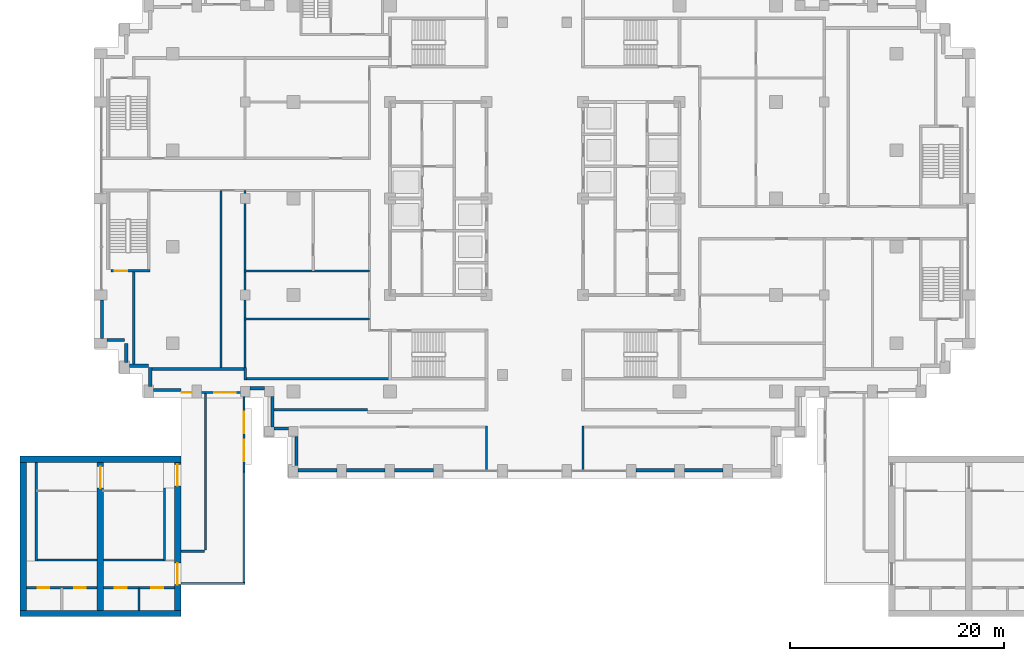
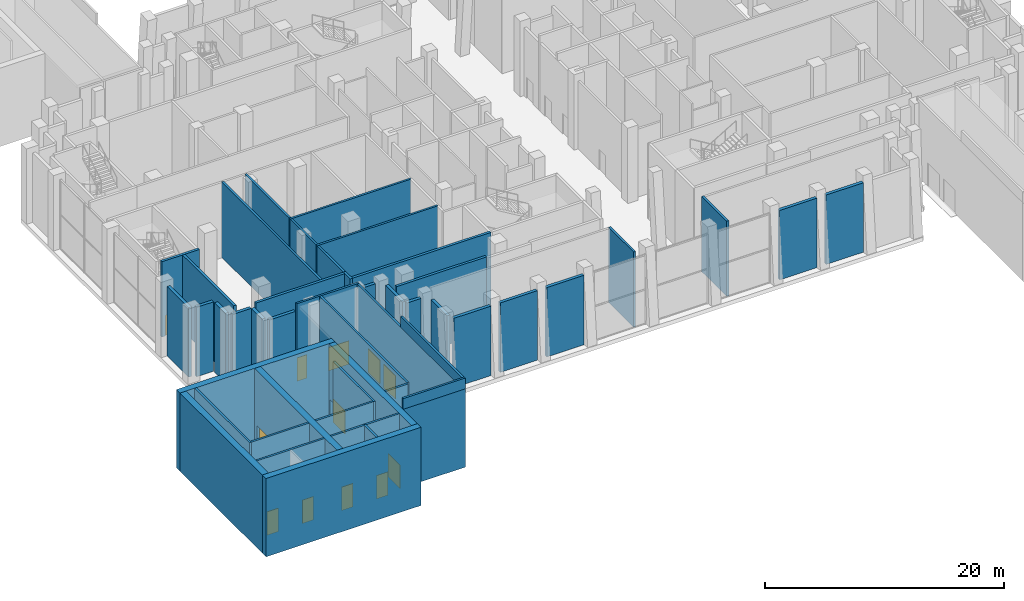
# One storey, part 10 of 24: 46 walls, 12 doors, 12 openings.
"""IFC4 building model written with IfcOpenShell, lengths in metres."""

from ifc_helpers import new_model, si_unit, direction, frame, frame_2d, origin, place, context, subcontext, project, spatial, rectangle, extrude, material, layer, layer_set, type_object, element, fill, save


model = new_model("IFC4")

# Units and contexts
model_context = context("Model", 3, precision=1e-05, world=origin(), true_north=direction((0.0, 1.0)))
body_context = subcontext(model_context, "Body", "Model", "MODEL_VIEW")
ifc_project = project(units=[si_unit("LENGTHUNIT", "METRE"), si_unit("AREAUNIT", "SQUARE_METRE"), si_unit("VOLUMEUNIT", "CUBIC_METRE"), si_unit("PLANEANGLEUNIT", "RADIAN"), si_unit("MASSUNIT", "GRAM", prefix="KILO")], contexts=[model_context])

# Site, building, storey
site_placement = place(None, origin())
site = spatial("IfcSite", under=ifc_project, at=site_placement, CompositionType="ELEMENT")
building_placement = place(site_placement, origin())
building = spatial("IfcBuilding", under=site, at=building_placement, Name="Corbelhall Arena Tower", CompositionType="ELEMENT")
storey_placement = place(building_placement, frame((0.0, 0.0, 60.0)))
storey = spatial("IfcBuildingStorey", under=building, at=storey_placement, Name="L08", CompositionType="ELEMENT", Elevation=60.0)

# Walls
ifc_material_1 = material(Name="Concrete C80/95", Category="concrete")
ifc_layer_1 = layer(ifc_material_1, 0.60009765625)
ifc_layer_set_1 = layer_set([ifc_layer_1], Name="AR-CORE-WALL-L08")
wall_type_1 = type_object("IfcWallType", Name="AR-CORE-WALL-L08", PredefinedType="SHEAR", material=ifc_layer_set_1)
for number, where, z_axis, x_axis, name in (
    (1, (-48.0, -38.699951171875, 0.0), (0.0, 0.0, 1.0), (1.0, 0.0, 0.0), "Core SW wall"),
    (2, (-48.0, -24.300048828125, 0.0), (0.0, 0.0, 1.0), (1.0, 0.0, 0.0), "Core SW wall"),
):
    element("IfcWall", number, at=place(storey_placement, frame(where, z_axis=z_axis, x_axis=x_axis)), inside=storey, type_object=wall_type_1, Name=name, PredefinedType="SHEAR", context=body_context, shape_type="SweptSolid", body=[
        extrude(rectangle(XDim=15.0, YDim=0.60009765625, at=frame_2d((7.5, 0.0))), origin(), (0.0, 0.0, 1.0), 8.0),
    ])
wall_1_placement = place(storey_placement, frame((-47.699951171875, -38.39990234375, 0.0), z_axis=(0.0, 0.0, 1.0), x_axis=(0.0, 1.0, 0.0)))
element("IfcWall", 3, at=wall_1_placement, inside=storey, type_object=wall_type_1, Name="Core SW wall", PredefinedType="SHEAR", context=body_context, shape_type="SweptSolid", body=[
    extrude(rectangle(XDim=13.7998046875, YDim=0.60009765625, at=frame_2d((6.89990234375, 0.0))), origin(), (0.0, 0.0, 1.0), 8.0),
])

# Wall, openings, doors
wall_2_placement = place(storey_placement, frame((-33.300048828125, -38.39990234375, 0.0), z_axis=(0.0, 0.0, 1.0), x_axis=(0.0, 1.0, 0.0)))
wall_2 = element("IfcWall", 4, at=wall_2_placement, inside=storey, type_object=wall_type_1, Name="Core SW wall", PredefinedType="SHEAR", context=body_context, shape_type="SweptSolid", body=[
    extrude(rectangle(XDim=13.7998046875, YDim=0.60009765625, at=frame_2d((6.89990234375, 0.0))), origin(), (0.0, 0.0, 1.0), 8.0),
])
opening_1_placement = place(wall_2_placement, frame((2.39990234375, 0.0, 0.0)))
opening_1 = element("IfcOpeningElement", 5, at=opening_1_placement, cuts=wall_2, Name="Opening DA0315", PredefinedType="OPENING", context=body_context, shape_type="SweptSolid", body=[
    extrude(rectangle(XDim=2.0, YDim=2.39990234375, at=frame_2d((1.0, 1.199951171875))), frame((0.0, 0.300048828125, 0.0), z_axis=(0.0, -1.0, 0.0), x_axis=(1.0, 0.0, 0.0)), (0.0, 0.0, 1.0), 0.60009765625),
])
opening_2_placement = place(wall_2_placement, frame((11.60009765625, 0.0, 0.0)))
opening_2 = element("IfcOpeningElement", 6, at=opening_2_placement, cuts=wall_2, Name="Opening DA0316", PredefinedType="OPENING", context=body_context, shape_type="SweptSolid", body=[
    extrude(rectangle(XDim=2.0, YDim=2.39990234375, at=frame_2d((1.0, 1.199951171875))), frame((0.0, 0.300048828125, 0.0), z_axis=(0.0, -1.0, 0.0), x_axis=(1.0, 0.0, 0.0)), (0.0, 0.0, 1.0), 0.60009765625),
])
ifc_material_2 = material(Name="Steel and glass", Category="steel")
door_type_1 = type_object("IfcDoorType", Name="AR-EXIT-DOOR", OperationType="DOUBLE_DOOR_SINGLE_SWING", PredefinedType="DOOR", material=ifc_material_2)
door_1_placement = place(opening_1_placement, frame((2.0, 0.0, 0.0), z_axis=(0.0, 0.0, 1.0), x_axis=(-1.0, 0.0, 0.0)))
door_1 = element("IfcDoor", 7, at=door_1_placement, inside=storey, type_object=door_type_1, Name="Core SW lobby door", OperationType="DOUBLE_DOOR_SINGLE_SWING", OverallHeight=2.39990234375, OverallWidth=2.0, PredefinedType="DOOR", context=body_context, shape_type="SweptSolid", body=[
    extrude(rectangle(XDim=2.0, YDim=2.39990234375, at=frame_2d((1.0, 1.199951171875))), frame((0.0, 0.02490234375, 0.0), z_axis=(0.0, -1.0, 0.0), x_axis=(1.0, 0.0, 0.0)), (0.0, 0.0, 1.0), 0.050048828125),
])
fill(opening_1, door_1)
door_2_placement = place(opening_2_placement, frame((2.0, 0.0, 0.0), z_axis=(0.0, 0.0, 1.0), x_axis=(-1.0, 0.0, 0.0)))
door_2 = element("IfcDoor", 8, at=door_2_placement, inside=storey, type_object=door_type_1, Name="Core SW stair door", OperationType="DOUBLE_DOOR_SINGLE_SWING", OverallHeight=2.39990234375, OverallWidth=2.0, PredefinedType="DOOR", context=body_context, shape_type="SweptSolid", body=[
    extrude(rectangle(XDim=2.0, YDim=2.39990234375, at=frame_2d((1.0, 1.199951171875))), frame((0.0, 0.02490234375, 0.0), z_axis=(0.0, -1.0, 0.0), x_axis=(1.0, 0.0, 0.0)), (0.0, 0.0, 1.0), 0.050048828125),
])
fill(opening_2, door_2)

# Wall, opening, door
wall_3_placement = place(storey_placement, frame((-40.5, -38.39990234375, 0.0), z_axis=(0.0, 0.0, 1.0), x_axis=(0.0, 1.0, 0.0)))
wall_3 = element("IfcWall", 9, at=wall_3_placement, inside=storey, type_object=wall_type_1, Name="Core SW wall", PredefinedType="SHEAR", context=body_context, shape_type="SweptSolid", body=[
    extrude(rectangle(XDim=13.7998046875, YDim=0.60009765625, at=frame_2d((6.89990234375, 0.0))), origin(), (0.0, 0.0, 1.0), 8.0),
])
opening_3_placement = place(wall_3_placement, frame((11.39990234375, 0.0, 0.0)))
opening_3 = element("IfcOpeningElement", 10, at=opening_3_placement, cuts=wall_3, Name="Opening DA0052", PredefinedType="OPENING", context=body_context, shape_type="SweptSolid", body=[
    extrude(rectangle(XDim=2.0, YDim=2.39990234375, at=frame_2d((1.0, 1.199951171875))), frame((0.0, 0.300048828125, 0.0), z_axis=(0.0, -1.0, 0.0), x_axis=(1.0, 0.0, 0.0)), (0.0, 0.0, 1.0), 0.60009765625),
])
door_3_placement = place(opening_3_placement, origin())
door_3 = element("IfcDoor", 11, at=door_3_placement, inside=storey, type_object=door_type_1, Name="Stair hall door SW", OperationType="DOUBLE_DOOR_SINGLE_SWING", OverallHeight=2.39990234375, OverallWidth=2.0, PredefinedType="DOOR", context=body_context, shape_type="SweptSolid", body=[
    extrude(rectangle(XDim=2.0, YDim=2.39990234375, at=frame_2d((1.0, 1.199951171875))), frame((0.0, 0.02490234375, 0.0), z_axis=(0.0, -1.0, 0.0), x_axis=(1.0, 0.0, 0.0)), (0.0, 0.0, 1.0), 0.050048828125),
])
fill(opening_3, door_3)

# Wall, openings, doors
ifc_material_3 = material(Name="Reinforced concrete C40/50", Category="concrete")
ifc_layer_2 = layer(ifc_material_3, 0.199951171875)
ifc_layer_set_2 = layer_set([ifc_layer_2], Name="AR-LINK-WALL")
wall_type_2 = type_object("IfcWallType", Name="AR-LINK-WALL", PredefinedType="SOLIDWALL", material=ifc_layer_set_2)
wall_4_placement = place(storey_placement, frame((-27.10009765625, -35.89990234375, 0.0), z_axis=(0.0, 0.0, 1.0), x_axis=(0.0, 1.0, 0.0)))
wall_4 = element("IfcWall", 12, at=wall_4_placement, inside=storey, type_object=wall_type_2, Name="Gallery LK4 wall", PredefinedType="SOLIDWALL", context=body_context, shape_type="SweptSolid", body=[
    extrude(rectangle(XDim=17.7998046875, YDim=0.199951171875, at=frame_2d((8.89990234375, 0.0))), origin(), (0.0, 0.0, 1.0), 8.0),
])
opening_4_placement = place(wall_4_placement, frame((14.0, 0.0, 0.0)))
opening_4 = element("IfcOpeningElement", 13, at=opening_4_placement, cuts=wall_4, Name="Opening DA0313", PredefinedType="OPENING", context=body_context, shape_type="SweptSolid", body=[
    extrude(rectangle(XDim=2.0, YDim=2.39990234375, at=frame_2d((1.0, 1.199951171875))), frame((0.0, 0.10009765625, 0.0), z_axis=(0.0, -1.0, 0.0), x_axis=(1.0, 0.0, 0.0)), (0.0, 0.0, 1.0), 0.199951171875),
])
opening_5_placement = place(wall_4_placement, frame((11.39990234375, 0.0, 0.0)))
opening_5 = element("IfcOpeningElement", 14, at=opening_5_placement, cuts=wall_4, Name="Opening DA0314", PredefinedType="OPENING", context=body_context, shape_type="SweptSolid", body=[
    extrude(rectangle(XDim=2.0, YDim=2.39990234375, at=frame_2d((1.0, 1.199951171875))), frame((0.0, 0.10009765625, 0.0), z_axis=(0.0, -1.0, 0.0), x_axis=(1.0, 0.0, 0.0)), (0.0, 0.0, 1.0), 0.199951171875),
])
door_4_placement = place(opening_4_placement, frame((2.0, 0.0, 0.0), z_axis=(0.0, 0.0, 1.0), x_axis=(-1.0, 0.0, 0.0)))
door_4 = element("IfcDoor", 15, at=door_4_placement, inside=storey, type_object=door_type_1, Name="Gallery LK4 plate door 1", OperationType="DOUBLE_DOOR_SINGLE_SWING", OverallHeight=2.39990234375, OverallWidth=2.0, PredefinedType="DOOR", context=body_context, shape_type="SweptSolid", body=[
    extrude(rectangle(XDim=2.0, YDim=2.39990234375, at=frame_2d((1.0, 1.199951171875))), frame((0.0, 0.02490234375, 0.0), z_axis=(0.0, -1.0, 0.0), x_axis=(1.0, 0.0, 0.0)), (0.0, 0.0, 1.0), 0.050048828125),
])
fill(opening_4, door_4)
door_5_placement = place(opening_5_placement, frame((2.0, 0.0, 0.0), z_axis=(0.0, 0.0, 1.0), x_axis=(-1.0, 0.0, 0.0)))
door_5 = element("IfcDoor", 16, at=door_5_placement, inside=storey, type_object=door_type_1, Name="Gallery LK4 plate door 2", OperationType="DOUBLE_DOOR_SINGLE_SWING", OverallHeight=2.39990234375, OverallWidth=2.0, PredefinedType="DOOR", context=body_context, shape_type="SweptSolid", body=[
    extrude(rectangle(XDim=2.0, YDim=2.39990234375, at=frame_2d((1.0, 1.199951171875))), frame((0.0, 0.02490234375, 0.0), z_axis=(0.0, -1.0, 0.0), x_axis=(1.0, 0.0, 0.0)), (0.0, 0.0, 1.0), 0.050048828125),
])
fill(opening_5, door_5)

# Walls
wall_5_placement = place(storey_placement, frame((-30.699951171875, -32.800048828125, 0.0), z_axis=(0.0, 0.0, 1.0), x_axis=(0.0, 1.0, 0.0)))
element("IfcWall", 17, at=wall_5_placement, inside=storey, type_object=wall_type_2, Name="Gallery LK4 wall", PredefinedType="SOLIDWALL", context=body_context, shape_type="SweptSolid", body=[
    extrude(rectangle(XDim=14.800048828125, YDim=0.199951171875, at=frame_2d((7.39990234375, 0.0))), origin(), (0.0, 0.0, 1.0), 8.0),
])
wall_6_placement = place(storey_placement, frame((-33.0, -32.89990234375, 0.0), z_axis=(0.0, 0.0, 1.0), x_axis=(1.0, 0.0, 0.0)))
element("IfcWall", 18, at=wall_6_placement, inside=storey, type_object=wall_type_2, Name="Gallery LK4 wall", PredefinedType="SOLIDWALL", context=body_context, shape_type="SweptSolid", body=[
    extrude(rectangle(XDim=2.199951171875, YDim=0.199951171875, at=frame_2d((1.10009765625, 0.0))), origin(), (0.0, 0.0, 1.0), 8.0),
])
wall_7_placement = place(storey_placement, frame((-33.0, -35.89990234375, 0.0), z_axis=(0.0, 0.0, 1.0), x_axis=(1.0, 0.0, 0.0)))
element("IfcWall", 19, at=wall_7_placement, inside=storey, type_object=wall_type_2, Name="Gallery LK4 wall", PredefinedType="SOLIDWALL", context=body_context, shape_type="SweptSolid", body=[
    extrude(rectangle(XDim=6.0, YDim=0.199951171875, at=frame_2d((3.0, 0.0))), origin(), (0.0, 0.0, 1.0), 8.0),
])

# Wall, openings, doors
wall_8_placement = place(storey_placement, frame((-33.0, -18.10009765625, 0.0), z_axis=(0.0, 0.0, 1.0), x_axis=(1.0, 0.0, 0.0)))
wall_8 = element("IfcWall", 20, at=wall_8_placement, inside=storey, type_object=wall_type_2, Name="Gallery LK4 end wall", PredefinedType="SOLIDWALL", context=body_context, shape_type="SweptSolid", body=[
    extrude(rectangle(XDim=6.0, YDim=0.199951171875, at=frame_2d((3.0, 0.0))), origin(), (0.0, 0.0, 1.0), 8.0),
])
opening_6_placement = place(wall_8_placement, frame((3.10009765625, 0.0, 0.0)))
opening_6 = element("IfcOpeningElement", 21, at=opening_6_placement, cuts=wall_8, Name="Opening DA0311", PredefinedType="OPENING", context=body_context, shape_type="SweptSolid", body=[
    extrude(rectangle(XDim=2.0, YDim=2.39990234375, at=frame_2d((1.0, 1.199951171875))), frame((0.0, 0.10009765625, 0.0), z_axis=(0.0, -1.0, 0.0), x_axis=(1.0, 0.0, 0.0)), (0.0, 0.0, 1.0), 0.199951171875),
])
opening_7_placement = place(wall_8_placement, frame((0.070068359375, 0.0, 0.0)))
opening_7 = element("IfcOpeningElement", 22, at=opening_7_placement, cuts=wall_8, Name="Opening DA0312", PredefinedType="OPENING", context=body_context, shape_type="SweptSolid", body=[
    extrude(rectangle(XDim=0.949951171875, YDim=2.39990234375, at=frame_2d((0.47509765625, 1.199951171875))), frame((0.0, 0.10009765625, 0.0), z_axis=(0.0, -1.0, 0.0), x_axis=(1.0, 0.0, 0.0)), (0.0, 0.0, 1.0), 0.199951171875),
])
door_6_placement = place(opening_6_placement, origin())
door_6 = element("IfcDoor", 23, at=door_6_placement, inside=storey, type_object=door_type_1, Name="Gallery LK4 public door", OperationType="DOUBLE_DOOR_SINGLE_SWING", OverallHeight=2.39990234375, OverallWidth=2.0, PredefinedType="DOOR", context=body_context, shape_type="SweptSolid", body=[
    extrude(rectangle(XDim=2.0, YDim=2.39990234375, at=frame_2d((1.0, 1.199951171875))), frame((0.0, 0.02490234375, 0.0), z_axis=(0.0, -1.0, 0.0), x_axis=(1.0, 0.0, 0.0)), (0.0, 0.0, 1.0), 0.050048828125),
])
fill(opening_6, door_6)
ifc_material_4 = material(Name="Steel door set", Category="steel")
door_type_2 = type_object("IfcDoorType", Name="AR-EXIT-DOOR-1", OperationType="SINGLE_SWING_LEFT", PredefinedType="DOOR", material=ifc_material_4)
door_7_placement = place(opening_7_placement, origin())
door_7 = element("IfcDoor", 24, at=door_7_placement, inside=storey, type_object=door_type_2, Name="Gallery LK4 exit door", OperationType="SINGLE_SWING_LEFT", OverallHeight=2.39990234375, OverallWidth=0.949951171875, PredefinedType="DOOR", context=body_context, shape_type="SweptSolid", body=[
    extrude(rectangle(XDim=0.949951171875, YDim=2.39990234375, at=frame_2d((0.47509765625, 1.199951171875))), frame((0.0, 0.02490234375, 0.0), z_axis=(0.0, -1.0, 0.0), x_axis=(1.0, 0.0, 0.0)), (0.0, 0.0, 1.0), 0.050048828125),
])
fill(opening_7, door_7)

# Walls
ifc_layer_3 = layer(ifc_material_3, 0.199951171875)
ifc_layer_set_3 = layer_set([ifc_layer_3], Name="AR-PARAPET")
wall_type_3 = type_object("IfcWallType", Name="AR-PARAPET", PredefinedType="PARAPET", material=ifc_layer_set_3)
wall_9_placement = place(storey_placement, frame((-33.0, -35.89990234375, 8.0), z_axis=(0.0, 0.0, 1.0), x_axis=(1.0, 0.0, 0.0)))
element("IfcWall", 25, at=wall_9_placement, inside=storey, type_object=wall_type_3, Name="Gallery LK4 parapet", PredefinedType="PARAPET", context=body_context, shape_type="SweptSolid", body=[
    extrude(rectangle(XDim=6.0, YDim=0.199951171875, at=frame_2d((3.0, 0.0))), origin(), (0.0, 0.0, 1.0), 1.10009765625),
])
wall_10_placement = place(storey_placement, frame((-27.10009765625, -35.800048828125, 8.0), z_axis=(0.0, 0.0, 1.0), x_axis=(0.0, 1.0, 0.0)))
element("IfcWall", 26, at=wall_10_placement, inside=storey, type_object=wall_type_3, Name="Gallery LK4 parapet", PredefinedType="PARAPET", context=body_context, shape_type="SweptSolid", body=[
    extrude(rectangle(XDim=10.300048828125, YDim=0.199951171875, at=frame_2d((5.14990234375, 0.0))), origin(), (0.0, 0.0, 1.0), 1.10009765625),
])

# Wall, openings, doors
ifc_layer_4 = layer(ifc_material_3, 0.199951171875)
ifc_layer_set_4 = layer_set([ifc_layer_4], Name="AR-SHAFT-WALL")
wall_type_4 = type_object("IfcWallType", Name="AR-SHAFT-WALL", PredefinedType="SHEAR", material=ifc_layer_set_4)
wall_11_placement = place(storey_placement, frame((-47.39990234375, -36.300048828125, 0.0), z_axis=(0.0, 0.0, 1.0), x_axis=(1.0, 0.0, 0.0)))
wall_11 = element("IfcWall", 27, at=wall_11_placement, inside=storey, type_object=wall_type_4, Name="Lift lobby wall SW", PredefinedType="SHEAR", context=body_context, shape_type="SweptSolid", body=[
    extrude(rectangle(XDim=6.599853515625, YDim=0.199951171875, at=frame_2d((3.2998046875, 0.0))), origin(), (0.0, 0.0, 1.0), 8.0),
])
opening_8_placement = place(wall_11_placement, frame((1.050048828125, 0.0, 0.0)))
opening_8 = element("IfcOpeningElement", 28, at=opening_8_placement, cuts=wall_11, Name="Opening LD0289", PredefinedType="OPENING", context=body_context, shape_type="SweptSolid", body=[
    extrude(rectangle(XDim=1.10009765625, YDim=2.39990234375, at=frame_2d((0.550048828125, 1.199951171875))), frame((0.0, 0.10009765625, 0.0), z_axis=(0.0, -1.0, 0.0), x_axis=(1.0, 0.0, 0.0)), (0.0, 0.0, 1.0), 0.199951171875),
])
opening_9_placement = place(wall_11_placement, frame((4.449951171875, 0.0, 0.0)))
opening_9 = element("IfcOpeningElement", 29, at=opening_9_placement, cuts=wall_11, Name="Opening LD0290", PredefinedType="OPENING", context=body_context, shape_type="SweptSolid", body=[
    extrude(rectangle(XDim=1.10009765625, YDim=2.39990234375, at=frame_2d((0.550048828125, 1.199951171875))), frame((0.0, 0.10009765625, 0.0), z_axis=(0.0, -1.0, 0.0), x_axis=(1.0, 0.0, 0.0)), (0.0, 0.0, 1.0), 0.199951171875),
])
ifc_material_5 = material(Name="Stainless steel A4", Category="steel")
door_type_3 = type_object("IfcDoorType", Name="AR-LANDING-DOOR", OperationType="DOUBLE_DOOR_SLIDING", PredefinedType="DOOR", material=ifc_material_5)
door_8_placement = place(opening_8_placement, frame((1.10009765625, 0.0, 0.0), z_axis=(0.0, 0.0, 1.0), x_axis=(-1.0, 0.0, 0.0)))
door_8 = element("IfcDoor", 30, at=door_8_placement, inside=storey, type_object=door_type_3, Name="Landing door SW LF3 L08", OperationType="DOUBLE_DOOR_SLIDING", OverallHeight=2.39990234375, OverallWidth=1.10009765625, PredefinedType="DOOR", context=body_context, shape_type="SweptSolid", body=[
    extrude(rectangle(XDim=1.10009765625, YDim=2.39990234375, at=frame_2d((0.550048828125, 1.199951171875))), frame((0.0, 0.02490234375, 0.0), z_axis=(0.0, -1.0, 0.0), x_axis=(1.0, 0.0, 0.0)), (0.0, 0.0, 1.0), 0.050048828125),
])
fill(opening_8, door_8)
door_9_placement = place(opening_9_placement, frame((1.10009765625, 0.0, 0.0), z_axis=(0.0, 0.0, 1.0), x_axis=(-1.0, 0.0, 0.0)))
door_9 = element("IfcDoor", 31, at=door_9_placement, inside=storey, type_object=door_type_3, Name="Landing door SW LF4 L08", OperationType="DOUBLE_DOOR_SLIDING", OverallHeight=2.39990234375, OverallWidth=1.10009765625, PredefinedType="DOOR", context=body_context, shape_type="SweptSolid", body=[
    extrude(rectangle(XDim=1.10009765625, YDim=2.39990234375, at=frame_2d((0.550048828125, 1.199951171875))), frame((0.0, 0.02490234375, 0.0), z_axis=(0.0, -1.0, 0.0), x_axis=(1.0, 0.0, 0.0)), (0.0, 0.0, 1.0), 0.050048828125),
])
fill(opening_9, door_9)

wall_12_placement = place(storey_placement, frame((-40.199951171875, -36.300048828125, 0.0), z_axis=(0.0, 0.0, 1.0), x_axis=(1.0, 0.0, 0.0)))
wall_12 = element("IfcWall", 32, at=wall_12_placement, inside=storey, type_object=wall_type_4, Name="Lift lobby wall SW", PredefinedType="SHEAR", context=body_context, shape_type="SweptSolid", body=[
    extrude(rectangle(XDim=6.599853515625, YDim=0.199951171875, at=frame_2d((3.2998046875, 0.0))), origin(), (0.0, 0.0, 1.0), 8.0),
])
opening_10_placement = place(wall_12_placement, frame((1.050048828125, 0.0, 0.0)))
opening_10 = element("IfcOpeningElement", 33, at=opening_10_placement, cuts=wall_12, Name="Opening LD0291", PredefinedType="OPENING", context=body_context, shape_type="SweptSolid", body=[
    extrude(rectangle(XDim=1.10009765625, YDim=2.39990234375, at=frame_2d((0.550048828125, 1.199951171875))), frame((0.0, 0.10009765625, 0.0), z_axis=(0.0, -1.0, 0.0), x_axis=(1.0, 0.0, 0.0)), (0.0, 0.0, 1.0), 0.199951171875),
])
opening_11_placement = place(wall_12_placement, frame((4.449951171875, 0.0, 0.0)))
opening_11 = element("IfcOpeningElement", 34, at=opening_11_placement, cuts=wall_12, Name="Opening LD0292", PredefinedType="OPENING", context=body_context, shape_type="SweptSolid", body=[
    extrude(rectangle(XDim=1.10009765625, YDim=2.39990234375, at=frame_2d((0.550048828125, 1.199951171875))), frame((0.0, 0.10009765625, 0.0), z_axis=(0.0, -1.0, 0.0), x_axis=(1.0, 0.0, 0.0)), (0.0, 0.0, 1.0), 0.199951171875),
])
door_10_placement = place(opening_10_placement, frame((1.10009765625, 0.0, 0.0), z_axis=(0.0, 0.0, 1.0), x_axis=(-1.0, 0.0, 0.0)))
door_10 = element("IfcDoor", 35, at=door_10_placement, inside=storey, type_object=door_type_3, Name="Landing door SW LF1 L08", OperationType="DOUBLE_DOOR_SLIDING", OverallHeight=2.39990234375, OverallWidth=1.10009765625, PredefinedType="DOOR", context=body_context, shape_type="SweptSolid", body=[
    extrude(rectangle(XDim=1.10009765625, YDim=2.39990234375, at=frame_2d((0.550048828125, 1.199951171875))), frame((0.0, 0.02490234375, 0.0), z_axis=(0.0, -1.0, 0.0), x_axis=(1.0, 0.0, 0.0)), (0.0, 0.0, 1.0), 0.050048828125),
])
fill(opening_10, door_10)
door_11_placement = place(opening_11_placement, frame((1.10009765625, 0.0, 0.0), z_axis=(0.0, 0.0, 1.0), x_axis=(-1.0, 0.0, 0.0)))
door_11 = element("IfcDoor", 36, at=door_11_placement, inside=storey, type_object=door_type_3, Name="Landing door SW LF2 L08", OperationType="DOUBLE_DOOR_SLIDING", OverallHeight=2.39990234375, OverallWidth=1.10009765625, PredefinedType="DOOR", context=body_context, shape_type="SweptSolid", body=[
    extrude(rectangle(XDim=1.10009765625, YDim=2.39990234375, at=frame_2d((0.550048828125, 1.199951171875))), frame((0.0, 0.02490234375, 0.0), z_axis=(0.0, -1.0, 0.0), x_axis=(1.0, 0.0, 0.0)), (0.0, 0.0, 1.0), 0.050048828125),
])
fill(opening_11, door_11)

# Walls
wall_13_placement = place(storey_placement, frame((-36.89990234375, -38.39990234375, 0.0), z_axis=(0.0, 0.0, 1.0), x_axis=(0.0, 1.0, 0.0)))
element("IfcWall", 37, at=wall_13_placement, inside=storey, type_object=wall_type_4, Name="Shaft wall SW", PredefinedType="SHEAR", context=body_context, shape_type="SweptSolid", body=[
    extrude(rectangle(XDim=2.099853515625, YDim=0.199951171875, at=frame_2d((1.0498046875, 0.0))), origin(), (0.0, 0.0, 1.0), 8.0),
])
ifc_layer_5 = layer(ifc_material_3, 0.199951171875)
ifc_layer_set_5 = layer_set([ifc_layer_5], Name="AR-STAIR-WALL")
wall_type_5 = type_object("IfcWallType", Name="AR-STAIR-WALL", PredefinedType="SOLIDWALL", material=ifc_layer_set_5)
wall_14_placement = place(storey_placement, frame((-34.510009765625, -33.800048828125, 0.0), z_axis=(0.0, 0.0, 1.0), x_axis=(0.0, 1.0, 0.0)))
element("IfcWall", 38, at=wall_14_placement, inside=storey, type_object=wall_type_5, Name="Stair AS7 wall", PredefinedType="SOLIDWALL", context=body_context, shape_type="SweptSolid", body=[
    extrude(rectangle(XDim=6.800048828125, YDim=0.199951171875, at=frame_2d((3.39990234375, 0.0))), origin(), (0.0, 0.0, 1.0), 8.0),
])
wall_15_placement = place(storey_placement, frame((-40.199951171875, -33.699951171875, 0.0), z_axis=(0.0, 0.0, 1.0), x_axis=(1.0, 0.0, 0.0)))
element("IfcWall", 39, at=wall_15_placement, inside=storey, type_object=wall_type_5, Name="Stair AS7 wall", PredefinedType="SOLIDWALL", context=body_context, shape_type="SweptSolid", body=[
    extrude(rectangle(XDim=5.58984375, YDim=0.199951171875, at=frame_2d((2.794921875, 0.0))), origin(), (0.0, 0.0, 1.0), 8.0),
])
wall_16_placement = place(storey_placement, frame((-46.489990234375, -33.800048828125, 0.0), z_axis=(0.0, 0.0, 1.0), x_axis=(0.0, 1.0, 0.0)))
element("IfcWall", 40, at=wall_16_placement, inside=storey, type_object=wall_type_5, Name="Stair AS8 wall", PredefinedType="SOLIDWALL", context=body_context, shape_type="SweptSolid", body=[
    extrude(rectangle(XDim=9.199951171875, YDim=0.199951171875, at=frame_2d((4.60009765625, 0.0))), origin(), (0.0, 0.0, 1.0), 8.0),
])
wall_17_placement = place(storey_placement, frame((-46.389892578125, -33.699951171875, 0.0), z_axis=(0.0, 0.0, 1.0), x_axis=(1.0, 0.0, 0.0)))
element("IfcWall", 41, at=wall_17_placement, inside=storey, type_object=wall_type_5, Name="Stair AS8 wall", PredefinedType="SOLIDWALL", context=body_context, shape_type="SweptSolid", body=[
    extrude(rectangle(XDim=5.58984375, YDim=0.199951171875, at=frame_2d((2.794921875, 0.0))), origin(), (0.0, 0.0, 1.0), 8.0),
])
ifc_material_6 = material(Name="Precast concrete C40/50 with granite facing", Category="masonry")
ifc_layer_6 = layer(ifc_material_6, 0.300048828125)
ifc_layer_set_6 = layer_set([ifc_layer_6], Name="EV-IW1 Infill panel 300")
wall_type_6 = type_object("IfcWallType", Name="EV-IW1 Infill panel 300", PredefinedType="SOLIDWALL", material=ifc_layer_set_6)
wall_18_placement = place(storey_placement, frame((-39.89990234375, -13.199951171875, 0.0), z_axis=(0.0, 0.0, 1.0), x_axis=(1.0, 0.0, 0.0)))
element("IfcWall", 42, at=wall_18_placement, inside=storey, type_object=wall_type_6, Name="Infill panel IW1", PredefinedType="SOLIDWALL", context=body_context, shape_type="SweptSolid", body=[
    extrude(rectangle(XDim=1.64990234375, YDim=0.300048828125, at=frame_2d((0.824951171875, 0.0))), origin(), (0.0, 0.0, 1.0), 7.10009765625),
])
for number, where, z_axis, x_axis, name in (
    (43, (-38.10009765625, -15.300048828125, 0.0), (0.0, 0.0, 1.0), (0.0, 1.0, 0.0), "Infill panel IW1"),
    (44, (-37.800048828125, -15.60009765625, 0.0), (0.0, 0.0, 1.0), (1.0, 0.0, 0.0), "Infill panel IW1"),
    (45, (-35.85009765625, -17.550048828125, 0.0), (0.0, 0.0, 1.0), (0.0, 1.0, 0.0), "Infill panel IW1"),
):
    element("IfcWall", number, at=place(storey_placement, frame(where, z_axis=z_axis, x_axis=x_axis)), inside=storey, type_object=wall_type_6, Name=name, PredefinedType="SOLIDWALL", context=body_context, shape_type="SweptSolid", body=[
        extrude(rectangle(XDim=1.800048828125, YDim=0.300048828125, at=frame_2d((0.89990234375, 0.0))), origin(), (0.0, 0.0, 1.0), 7.10009765625),
    ])
wall_19_placement = place(storey_placement, frame((-40.35009765625, -9.449951171875, 0.0), z_axis=(0.0, 0.0, 1.0), x_axis=(0.0, -1.0, 0.0)))
element("IfcWall", 46, at=wall_19_placement, inside=storey, type_object=wall_type_6, Name="Infill panel IW1", PredefinedType="SOLIDWALL", context=body_context, shape_type="SweptSolid", body=[
    extrude(rectangle(XDim=3.60009765625, YDim=0.300048828125, at=frame_2d((1.800048828125, 0.0))), origin(), (0.0, 0.0, 1.0), 7.10009765625),
])
wall_20_placement = place(storey_placement, frame((-35.550048828125, -17.85009765625, 0.0), z_axis=(0.0, 0.0, 1.0), x_axis=(1.0, 0.0, 0.0)))
element("IfcWall", 47, at=wall_20_placement, inside=storey, type_object=wall_type_6, Name="Infill panel IW1", PredefinedType="SOLIDWALL", context=body_context, shape_type="SweptSolid", body=[
    extrude(rectangle(XDim=2.550048828125, YDim=0.300048828125, at=frame_2d((1.27490234375, 0.0))), origin(), (0.0, 0.0, 1.0), 7.10009765625),
])
wall_21_placement = place(storey_placement, frame((-26.550048828125, -17.699951171875, 0.0), z_axis=(0.0, 0.0, 1.0), x_axis=(1.0, 0.0, 0.0)))
element("IfcWall", 48, at=wall_21_placement, inside=storey, type_object=wall_type_6, Name="Infill panel IW1", PredefinedType="SOLIDWALL", context=body_context, shape_type="SweptSolid", body=[
    extrude(rectangle(XDim=1.35009765625, YDim=0.300048828125, at=frame_2d((0.675048828125, 0.0))), origin(), (0.0, 0.0, 1.0), 7.10009765625),
])
wall_22_placement = place(storey_placement, frame((-24.449951171875, -18.449951171875, 0.0), z_axis=(0.0, 0.0, 1.0), x_axis=(0.0, -1.0, 0.0)))
element("IfcWall", 49, at=wall_22_placement, inside=storey, type_object=wall_type_6, Name="Infill panel IW1", PredefinedType="SOLIDWALL", context=body_context, shape_type="SweptSolid", body=[
    extrude(rectangle(XDim=2.85009765625, YDim=0.300048828125, at=frame_2d((1.425048828125, 0.0))), origin(), (0.0, 0.0, 1.0), 7.10009765625),
])
wall_23_placement = place(storey_placement, frame((-24.300048828125, -21.449951171875, 0.0), z_axis=(0.0, 0.0, 1.0), x_axis=(1.0, 0.0, 0.0)))
element("IfcWall", 50, at=wall_23_placement, inside=storey, type_object=wall_type_6, Name="Infill panel IW1", PredefinedType="SOLIDWALL", context=body_context, shape_type="SweptSolid", body=[
    extrude(rectangle(XDim=1.35009765625, YDim=0.300048828125, at=frame_2d((0.675048828125, 0.0))), origin(), (0.0, 0.0, 1.0), 7.10009765625),
])
wall_24_placement = place(storey_placement, frame((-22.199951171875, -22.199951171875, 0.0), z_axis=(0.0, 0.0, 1.0), x_axis=(0.0, -1.0, 0.0)))
element("IfcWall", 51, at=wall_24_placement, inside=storey, type_object=wall_type_6, Name="Infill panel IW1", PredefinedType="SOLIDWALL", context=body_context, shape_type="SweptSolid", body=[
    extrude(rectangle(XDim=2.699951171875, YDim=0.300048828125, at=frame_2d((1.35009765625, 0.0))), origin(), (0.0, 0.0, 1.0), 7.10009765625),
])
for number, where, z_axis, x_axis, name in (
    (52, (-22.050048828125, -25.35009765625, 0.0), (0.0, 0.0, 1.0), (1.0, 0.0, 0.0), "Infill panel IW1"),
    (53, (-17.550048828125, -25.35009765625, 0.0), (0.0, 0.0, 1.0), (1.0, 0.0, 0.0), "Infill panel IW1"),
    (54, (-13.050048828125, -25.35009765625, 0.0), (0.0, 0.0, 1.0), (1.0, 0.0, 0.0), "Infill panel IW1"),
    (55, (9.449951171875, -25.35009765625, 0.0), (0.0, 0.0, 1.0), (1.0, 0.0, 0.0), "Infill panel IW1"),
    (56, (13.949951171875, -25.35009765625, 0.0), (0.0, 0.0, 1.0), (1.0, 0.0, 0.0), "Infill panel IW1"),
):
    element("IfcWall", number, at=place(storey_placement, frame(where, z_axis=z_axis, x_axis=x_axis)), inside=storey, type_object=wall_type_6, Name=name, PredefinedType="SOLIDWALL", context=body_context, shape_type="SweptSolid", body=[
        extrude(rectangle(XDim=3.60009765625, YDim=0.300048828125, at=frame_2d((1.800048828125, 0.0))), origin(), (0.0, 0.0, 1.0), 7.10009765625),
    ])
ifc_material_7 = material(Name="Gypsum board on steel stud, acoustic", Category="steel")
ifc_layer_7 = layer(ifc_material_7, 0.199951171875)
ifc_layer_set_7 = layer_set([ifc_layer_7], Name="IN-W-DM200")
wall_type_7 = type_object("IfcWallType", Name="IN-W-DM200", PredefinedType="PARTITIONING", material=ifc_layer_set_7)
wall_25_placement = place(storey_placement, frame((-29.25, 0.75, 0.0), z_axis=(0.0, 0.0, 1.0), x_axis=(0.0, -1.0, 0.0)))
element("IfcWall", 57, at=wall_25_placement, inside=storey, type_object=wall_type_7, Name="Partition 002", PredefinedType="PARTITIONING", context=body_context, shape_type="SweptSolid", body=[
    extrude(rectangle(XDim=16.64990234375, YDim=0.199951171875, at=frame_2d((8.324951171875, 0.0))), origin(), (0.0, 0.0, 1.0), 7.699951171875),
])
for number, where, z_axis, x_axis, name in (
    (58, (-27.10009765625, -11.25, 0.0), (0.0, 0.0, 1.0), (1.0, 0.0, 0.0), "Partition 004"),
    (59, (-27.10009765625, -6.75, 0.0), (0.0, 0.0, 1.0), (1.0, 0.0, 0.0), "Partition 005"),
):
    element("IfcWall", number, at=place(storey_placement, frame(where, z_axis=z_axis, x_axis=x_axis)), inside=storey, type_object=wall_type_7, Name=name, PredefinedType="PARTITIONING", context=body_context, shape_type="SweptSolid", body=[
        extrude(rectangle(XDim=11.7001953125, YDim=0.199951171875, at=frame_2d((5.85009765625, 0.0))), origin(), (0.0, 0.0, 1.0), 7.699951171875),
    ])
wall_26_placement = place(storey_placement, frame((-27.0, -15.75, 0.0), z_axis=(0.0, 0.0, 1.0), x_axis=(0.0, 1.0, 0.0)))
element("IfcWall", 60, at=wall_26_placement, inside=storey, type_object=wall_type_7, Name="Partition 007", PredefinedType="PARTITIONING", context=body_context, shape_type="SweptSolid", body=[
    extrude(rectangle(XDim=16.5, YDim=0.199951171875, at=frame_2d((8.25, 0.0))), origin(), (0.0, 0.0, 1.0), 7.699951171875),
])
for number, where, z_axis, x_axis, name in (
    (61, (-4.5, -25.385986328125, 0.0), (0.0, 0.0, 1.0), (0.0, 1.0, 0.0), "Partition 014"),
    (62, (4.5, -21.199951171875, 0.0), (0.0, 0.0, 1.0), (0.0, -1.0, 0.0), "Partition 018"),
):
    element("IfcWall", number, at=place(storey_placement, frame(where, z_axis=z_axis, x_axis=x_axis)), inside=storey, type_object=wall_type_7, Name=name, PredefinedType="PARTITIONING", context=body_context, shape_type="SweptSolid", body=[
        extrude(rectangle(XDim=4.18603515625, YDim=0.199951171875, at=frame_2d((2.093017578125, 0.0))), origin(), (0.0, 0.0, 1.0), 7.699951171875),
    ])
ifc_material_8 = material(Name="Concrete C40/50", Category="concrete")
ifc_layer_8 = layer(ifc_material_8, 0.25)
ifc_layer_set_8 = layer_set([ifc_layer_8], Name="IN-W-SH250")
wall_type_8 = type_object("IfcWallType", Name="IN-W-SH250", PredefinedType="SOLIDWALL", material=ifc_layer_set_8)
for number, where, z_axis, x_axis, name in (
    (63, (-37.39990234375, -6.75, 0.0), (0.0, 0.0, 1.0), (0.0, -1.0, 0.0), "Shaft wall 047"),
    (64, (-35.699951171875, -15.89990234375, 0.0), (0.0, 0.0, 1.0), (1.0, 0.0, 0.0), "Shaft wall 049"),
):
    element("IfcWall", number, at=place(storey_placement, frame(where, z_axis=z_axis, x_axis=x_axis)), inside=storey, type_object=wall_type_8, Name=name, PredefinedType="SOLIDWALL", context=body_context, shape_type="SweptSolid", body=[
        extrude(rectangle(XDim=8.699951171875, YDim=0.25, at=frame_2d((4.35009765625, 0.0))), origin(), (0.0, 0.0, 1.0), 7.699951171875),
    ])
wall_27_placement = place(storey_placement, frame((-27.0, -16.800048828125, 0.0), z_axis=(0.0, 0.0, 1.0), x_axis=(1.0, 0.0, 0.0)))
element("IfcWall", 65, at=wall_27_placement, inside=storey, type_object=wall_type_8, Name="Shaft wall 050", PredefinedType="SOLIDWALL", context=body_context, shape_type="SweptSolid", body=[
    extrude(rectangle(XDim=13.5, YDim=0.25, at=frame_2d((6.75, 0.0))), origin(), (0.0, 0.0, 1.0), 7.699951171875),
])
wall_28_placement = place(storey_placement, frame((-27.0, -15.77490234375, 0.0), z_axis=(0.0, 0.0, 1.0), x_axis=(0.0, -1.0, 0.0)))
element("IfcWall", 66, at=wall_28_placement, inside=storey, type_object=wall_type_8, Name="Shaft wall 051", PredefinedType="SOLIDWALL", context=body_context, shape_type="SweptSolid", body=[
    extrude(rectangle(XDim=1.150146484375, YDim=0.25, at=frame_2d((0.5751953125, 0.0))), origin(), (0.0, 0.0, 1.0), 7.699951171875),
])
wall_29_placement = place(storey_placement, frame((-15.60009765625, -19.7099609375, 0.0), z_axis=(0.0, 0.0, 1.0), x_axis=(-1.0, 0.0, 0.0)))
element("IfcWall", 67, at=wall_29_placement, inside=storey, type_object=wall_type_8, Name="Shaft wall 053", PredefinedType="SOLIDWALL", context=body_context, shape_type="SweptSolid", body=[
    extrude(rectangle(XDim=8.699951171875, YDim=0.25, at=frame_2d((4.35009765625, 0.0))), origin(), (0.0, 0.0, 1.0), 7.699951171875),
])

# Wall, opening, door
ifc_layer_9 = layer(ifc_material_8, 0.25)
ifc_layer_set_9 = layer_set([ifc_layer_9], Name="IN-W-ST250")
wall_type_9 = type_object("IfcWallType", Name="IN-W-ST250", PredefinedType="SOLIDWALL", material=ifc_layer_set_9)
wall_30_placement = place(storey_placement, frame((-35.875, -6.75, 0.0), z_axis=(0.0, 0.0, 1.0), x_axis=(-1.0, 0.0, 0.0)))
wall_30 = element("IfcWall", 68, at=wall_30_placement, inside=storey, type_object=wall_type_9, Name="Shaft wall 097", PredefinedType="SOLIDWALL", context=body_context, shape_type="SweptSolid", body=[
    extrude(rectangle(XDim=3.625, YDim=0.25, at=frame_2d((1.8125, 0.0))), origin(), (0.0, 0.0, 1.0), 7.699951171875),
])
opening_12_placement = place(wall_30_placement, frame((2.10009765625, 0.0, 0.0)))
opening_12 = element("IfcOpeningElement", 69, at=opening_12_placement, cuts=wall_30, Name="Opening 25017", PredefinedType="OPENING", context=body_context, shape_type="SweptSolid", body=[
    extrude(rectangle(XDim=1.199951171875, YDim=2.10009765625, at=frame_2d((0.60009765625, 1.050048828125))), frame((0.0, 0.125, 0.0), z_axis=(0.0, -1.0, 0.0), x_axis=(1.0, 0.0, 0.0)), (0.0, 0.0, 1.0), 0.25),
])
door_type_4 = type_object("IfcDoorType", Name="IN-D-ST120", OperationType="NOTDEFINED", PredefinedType="DOOR", material=ifc_material_4)
door_12_placement = place(opening_12_placement, origin())
door_12 = element("IfcDoor", 70, at=door_12_placement, inside=storey, type_object=door_type_4, Name="Door 017", OperationType="SINGLE_SWING_RIGHT", OverallHeight=2.10009765625, OverallWidth=1.199951171875, PredefinedType="DOOR", context=body_context, shape_type="SweptSolid", body=[
    extrude(rectangle(XDim=1.199951171875, YDim=2.10009765625, at=frame_2d((0.60009765625, 1.050048828125))), frame((0.0, 0.02490234375, 0.0), z_axis=(0.0, -1.0, 0.0), x_axis=(1.0, 0.0, 0.0)), (0.0, 0.0, 1.0), 0.050048828125),
])
fill(opening_12, door_12)

save(model, "model.ifc")
